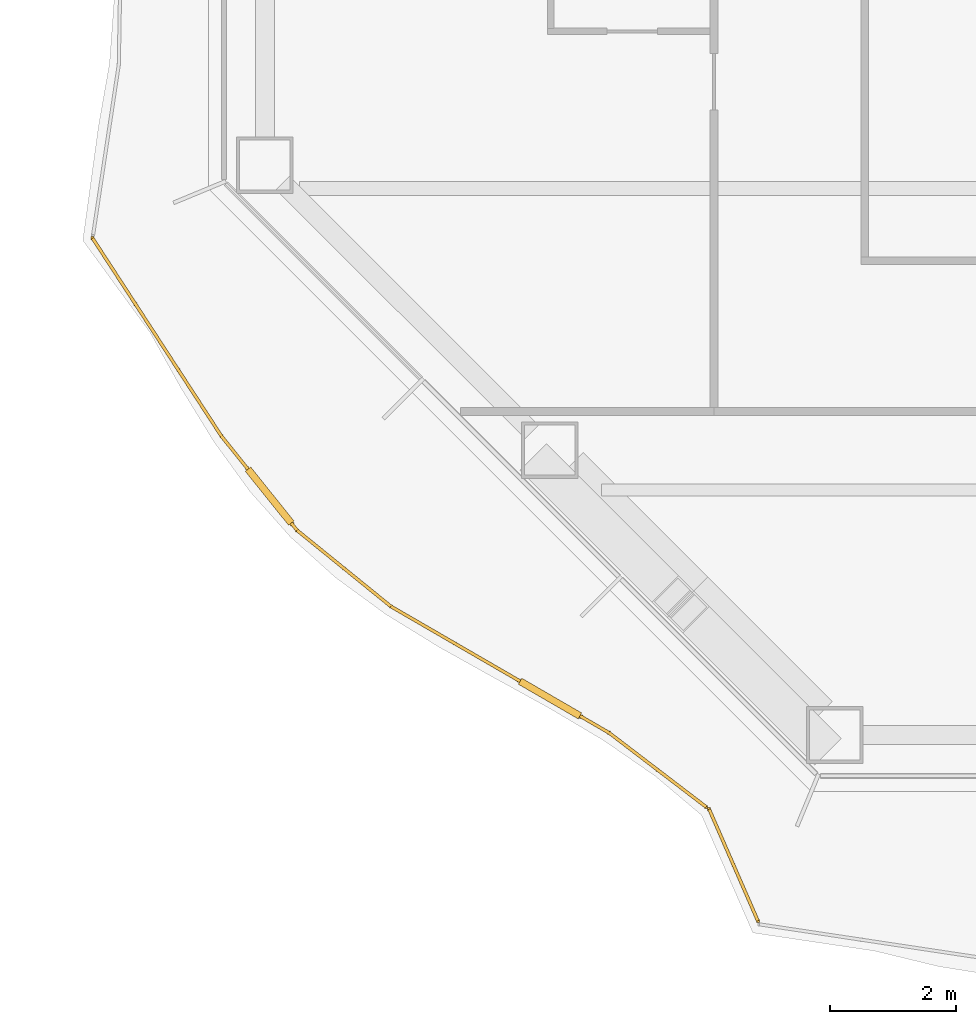
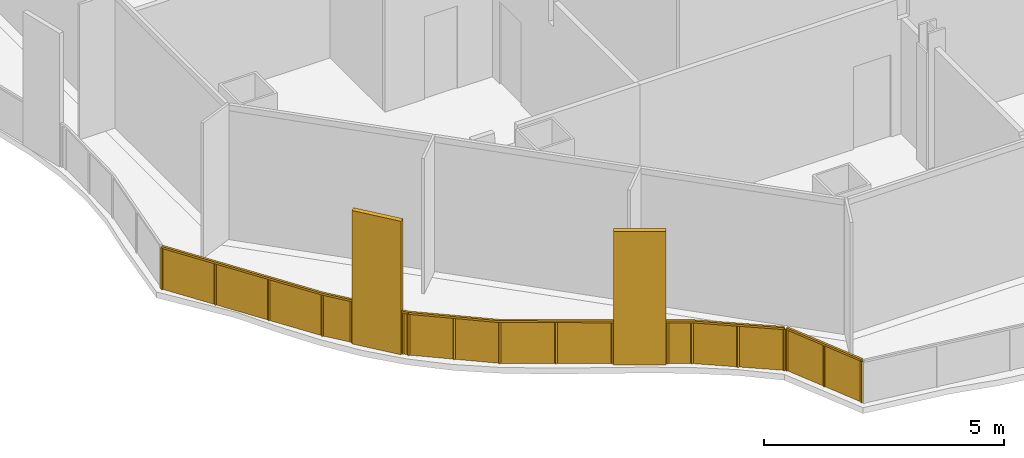
# One storey, part 12 of 18: 2 railings.
"""IFC4 building model written with IfcOpenShell, lengths in metres."""

from ifc_helpers import new_model, si_unit, direction, frame, origin, origin_2d, place, context, subcontext, project, spatial, polyline, rectangle, outline, extrude, material, type_object, element, save


model = new_model("IFC4")

# Units and contexts
model_context = context("Model", 3, precision=1e-05, world=origin(), true_north=direction((0.0, 1.0)))
body_context = subcontext(model_context, "Body", "Model", "MODEL_VIEW")
ifc_project = project(units=[si_unit("LENGTHUNIT", "METRE"), si_unit("AREAUNIT", "SQUARE_METRE"), si_unit("VOLUMEUNIT", "CUBIC_METRE"), si_unit("PLANEANGLEUNIT", "RADIAN"), si_unit("MASSUNIT", "GRAM", prefix="KILO")], contexts=[model_context])

# Site, building, storey
site_placement = place(None, origin())
site = spatial("IfcSite", under=ifc_project, at=site_placement, CompositionType="ELEMENT")
building_placement = place(site_placement, origin())
building = spatial("IfcBuilding", under=site, at=building_placement, Name="Cairn Pilgrim Tower", CompositionType="ELEMENT")
storey_placement = place(building_placement, frame((0.0, 0.0, 72.60009765625)))
storey = spatial("IfcBuildingStorey", under=building, at=storey_placement, Name="L16", CompositionType="ELEMENT", Elevation=72.60009765625)

# Railings
ifc_material_1 = material(Name="Bronze anodised aluminium rail and posts with laminated glass infill", Category="aluminium")
railing_type_1 = type_object("IfcRailingType", Name="BALCONY GUARD 1100", PredefinedType="GUARDRAIL", material=ifc_material_1)
railing_1_placement = place(storey_placement, frame((-20.827392578125, -24.2822265625, 0.0)))
element("IfcRailing", 1, at=railing_1_placement, inside=storey, type_object=railing_type_1, Name="Balcony guard BG-9", PredefinedType="GUARDRAIL", context=body_context, shape_type="SweptSolid", body=[
    extrude(rectangle(XDim=0.050048828125, YDim=0.050048828125, at=origin_2d()), frame((0.0, 0.0, 1.0751953125), z_axis=(0.40006562225, -0.916486496297, 0.0), x_axis=(0.916486496297, 0.40006562225, 0.0)), (0.0, 0.0, 1.0), 1.938720703125),
    extrude(rectangle(XDim=0.050048828125, YDim=0.050048828125, at=origin_2d()), origin(), (0.0, 0.0, 1.0), 1.050048828125),
    extrude(rectangle(XDim=0.050048828125, YDim=0.050048828125, at=origin_2d()), frame((0.3876953125, -0.888427734375, 0.0)), (0.0, 0.0, 1.0), 1.050048828125),
    extrude(rectangle(XDim=0.050048828125, YDim=0.050048828125, at=origin_2d()), frame((0.775634765625, -1.77685546875, 0.0)), (0.0, 0.0, 1.0), 1.050048828125),
    extrude(outline(polyline([(0.02490234375, 0.0), (0.9443359375, 0.0), (0.9443359375, 1.050048828125), (0.02490234375, 1.050048828125), (0.02490234375, 0.0)])), frame((0.00537109375, 0.00244140625, 0.0), z_axis=(-0.916486496297, -0.40006562225, 0.0), x_axis=(0.40006562225, -0.916486496297, 0.0)), (0.0, 0.0, 1.0), 0.011962890625),
    extrude(outline(polyline([(0.02490234375, 0.0), (0.9443359375, 0.0), (0.9443359375, 1.050048828125), (0.02490234375, 1.050048828125), (0.02490234375, 0.0)])), frame((0.393310546875, -0.885986328125, 0.0), z_axis=(-0.916486496297, -0.40006562225, 0.0), x_axis=(0.40006562225, -0.916486496297, 0.0)), (0.0, 0.0, 1.0), 0.011962890625),
])
ifc_material_2 = material(Name="Bronze anodised aluminium rail, posts and fin screens with laminated glass infill", Category="aluminium")
railing_type_2 = type_object("IfcRailingType", Name="BALCONY GUARD WITH FIN SCREENS", PredefinedType="GUARDRAIL", material=ifc_material_2)
railing_2_placement = place(storey_placement, frame((-30.6416015625, -15.19384765625, 0.0)))
element("IfcRailing", 2, at=railing_2_placement, inside=storey, type_object=railing_type_2, Name="Balcony guard BGF-8 with fin screens", PredefinedType="GUARDRAIL", context=body_context, shape_type="SweptSolid", body=[
    extrude(rectangle(XDim=0.050048828125, YDim=0.050048828125, at=origin_2d()), frame((0.0, 0.0, 1.0751953125), z_axis=(0.545634945051, -0.838022975067, 0.0), x_axis=(0.838022975067, 0.545634945051, 0.0)), (0.0, 0.0, 1.0), 3.7548828125),
    extrude(rectangle(XDim=1.10009765625, YDim=0.110107421875, at=origin_2d()), frame((2.817626953125, -4.10400390625, 0.0), z_axis=(0.0, 0.0, 1.0), x_axis=(0.626176698238, -0.779681180088, 0.0)), (0.0, 0.0, 1.0), 3.39990234375),
    extrude(rectangle(XDim=0.050048828125, YDim=0.050048828125, at=origin_2d()), frame((2.048828125, -3.146728515625, 1.0751953125), z_axis=(0.626176698238, -0.779681180088, 0.0), x_axis=(0.779681180088, 0.626176698238, 0.0)), (0.0, 0.0, 1.0), 0.677734375),
    extrude(rectangle(XDim=0.050048828125, YDim=0.050048828125, at=origin_2d()), frame((3.161865234375, -4.53271484375, 1.0751953125), z_axis=(0.626176698238, -0.779681180088, 0.0), x_axis=(0.779681180088, 0.626176698238, 0.0)), (0.0, 0.0, 1.0), 0.14990234375),
    extrude(rectangle(XDim=0.050048828125, YDim=0.050048828125, at=origin_2d()), frame((3.255859375, -4.649658203125, 1.0751953125), z_axis=(0.776812842699, -0.629731535988, 0.0), x_axis=(0.629731535988, 0.776812842699, 0.0)), (0.0, 0.0, 1.0), 1.922119140625),
    extrude(rectangle(XDim=1.10009765625, YDim=0.110107421875, at=origin_2d()), frame((7.281005859375, -7.32666015625, 0.0), z_axis=(0.0, 0.0, 1.0), x_axis=(0.865310997869, -0.501235350875, 0.0)), (0.0, 0.0, 1.0), 3.39990234375),
    extrude(rectangle(XDim=0.050048828125, YDim=0.050048828125, at=origin_2d()), frame((4.7490234375, -5.860107421875, 1.0751953125), z_axis=(0.865310997869, -0.501235350875, 0.0), x_axis=(0.501235350875, 0.865310997869, 0.0)), (0.0, 0.0, 1.0), 2.3759765625),
    extrude(rectangle(XDim=0.050048828125, YDim=0.050048828125, at=origin_2d()), frame((7.7568359375, -7.6025390625, 1.0751953125), z_axis=(0.865310997869, -0.501235350875, 0.0), x_axis=(0.501235350875, 0.865310997869, 0.0)), (0.0, 0.0, 1.0), 0.535888671875),
    extrude(rectangle(XDim=0.050048828125, YDim=0.050048828125, at=origin_2d()), frame((8.220703125, -7.87109375, 1.0751953125), z_axis=(0.794667643991, -0.607044755841, 0.0), x_axis=(0.607044755841, 0.794667643991, 0.0)), (0.0, 0.0, 1.0), 1.9453125),
    extrude(rectangle(XDim=0.050048828125, YDim=0.050048828125, at=origin_2d()), origin(), (0.0, 0.0, 1.0), 1.050048828125),
    extrude(rectangle(XDim=0.050048828125, YDim=0.050048828125, at=origin_2d()), frame((0.682861328125, -1.048828125, 0.0)), (0.0, 0.0, 1.0), 1.050048828125),
    extrude(rectangle(XDim=0.050048828125, YDim=0.050048828125, at=origin_2d()), frame((1.365966796875, -2.097900390625, 0.0)), (0.0, 0.0, 1.0), 1.050048828125),
    extrude(rectangle(XDim=0.050048828125, YDim=0.050048828125, at=origin_2d()), frame((2.048828125, -3.146728515625, 0.0)), (0.0, 0.0, 1.0), 1.050048828125),
    extrude(rectangle(XDim=0.050048828125, YDim=0.050048828125, at=origin_2d()), frame((2.45751953125, -3.655517578125, 0.0)), (0.0, 0.0, 1.0), 1.050048828125),
    extrude(rectangle(XDim=0.050048828125, YDim=0.050048828125, at=origin_2d()), frame((3.177734375, -4.55224609375, 0.0)), (0.0, 0.0, 1.0), 1.050048828125),
    extrude(rectangle(XDim=0.050048828125, YDim=0.050048828125, at=origin_2d()), frame((3.255859375, -4.649658203125, 0.0)), (0.0, 0.0, 1.0), 1.050048828125),
    extrude(rectangle(XDim=0.050048828125, YDim=0.050048828125, at=origin_2d()), frame((4.00244140625, -5.2548828125, 0.0)), (0.0, 0.0, 1.0), 1.050048828125),
    extrude(rectangle(XDim=0.050048828125, YDim=0.050048828125, at=origin_2d()), frame((4.7490234375, -5.860107421875, 0.0)), (0.0, 0.0, 1.0), 1.050048828125),
    extrude(rectangle(XDim=0.050048828125, YDim=0.050048828125, at=origin_2d()), frame((5.76611328125, -6.44921875, 0.0)), (0.0, 0.0, 1.0), 1.050048828125),
    extrude(rectangle(XDim=0.050048828125, YDim=0.050048828125, at=origin_2d()), frame((6.783447265625, -7.03857421875, 0.0)), (0.0, 0.0, 1.0), 1.050048828125),
    extrude(rectangle(XDim=0.050048828125, YDim=0.050048828125, at=origin_2d()), frame((7.778564453125, -7.614990234375, 0.0)), (0.0, 0.0, 1.0), 1.050048828125),
    extrude(rectangle(XDim=0.050048828125, YDim=0.050048828125, at=origin_2d()), frame((8.220703125, -7.87109375, 0.0)), (0.0, 0.0, 1.0), 1.050048828125),
    extrude(rectangle(XDim=0.050048828125, YDim=0.050048828125, at=origin_2d()), frame((8.99365234375, -8.46142578125, 0.0)), (0.0, 0.0, 1.0), 1.050048828125),
    extrude(rectangle(XDim=0.050048828125, YDim=0.050048828125, at=origin_2d()), frame((9.7666015625, -9.052001953125, 0.0)), (0.0, 0.0, 1.0), 1.050048828125),
    extrude(outline(polyline([(0.02490234375, 0.0), (1.2265625, 0.0), (1.2265625, 1.050048828125), (0.02490234375, 1.050048828125), (0.02490234375, 0.0)])), frame((0.005126953125, 0.003173828125, 0.0), z_axis=(-0.838022975067, -0.545634945051, 0.0), x_axis=(0.545634945051, -0.838022975067, 0.0)), (0.0, 0.0, 1.0), 0.011962890625),
    extrude(outline(polyline([(0.02490234375, 0.0), (1.2265625, 0.0), (1.2265625, 1.050048828125), (0.02490234375, 1.050048828125), (0.02490234375, 0.0)])), frame((0.68798828125, -1.045654296875, 0.0), z_axis=(-0.838022975067, -0.545634945051, 0.0), x_axis=(0.545634945051, -0.838022975067, 0.0)), (0.0, 0.0, 1.0), 0.011962890625),
    extrude(outline(polyline([(0.02490234375, 0.0), (1.2265625, 0.0), (1.2265625, 1.050048828125), (0.02490234375, 1.050048828125), (0.02490234375, 0.0)])), frame((1.370849609375, -2.094482421875, 0.0), z_axis=(-0.838022975067, -0.545634945051, 0.0), x_axis=(0.545634945051, -0.838022975067, 0.0)), (0.0, 0.0, 1.0), 0.011962890625),
    extrude(outline(polyline([(0.02490234375, 0.0), (0.627685546875, 0.0), (0.627685546875, 1.050048828125), (0.02490234375, 1.050048828125), (0.02490234375, 0.0)])), frame((2.053466796875, -3.14306640625, 0.0), z_axis=(-0.779681180088, -0.626176698238, 0.0), x_axis=(0.626176698238, -0.779681180088, 0.0)), (0.0, 0.0, 1.0), 0.011962890625),
    extrude(outline(polyline([(0.02490234375, 0.0), (0.099853515625, 0.0), (0.099853515625, 1.050048828125), (0.02490234375, 1.050048828125), (0.02490234375, 0.0)])), frame((3.182373046875, -4.548583984375, 0.0), z_axis=(-0.779681180088, -0.626176698238, 0.0), x_axis=(0.626176698238, -0.779681180088, 0.0)), (0.0, 0.0, 1.0), 0.011962890625),
    extrude(outline(polyline([(0.02490234375, 0.0), (0.93603515625, 0.0), (0.93603515625, 1.050048828125), (0.02490234375, 1.050048828125), (0.02490234375, 0.0)])), frame((3.259521484375, -4.64501953125, 0.0), z_axis=(-0.629731535988, -0.776812842699, 0.0), x_axis=(0.776812842699, -0.629731535988, 0.0)), (0.0, 0.0, 1.0), 0.011962890625),
    extrude(outline(polyline([(0.02490234375, 0.0), (0.93603515625, 0.0), (0.93603515625, 1.050048828125), (0.02490234375, 1.050048828125), (0.02490234375, 0.0)])), frame((4.006103515625, -5.250244140625, 0.0), z_axis=(-0.629731535988, -0.776812842699, 0.0), x_axis=(0.776812842699, -0.629731535988, 0.0)), (0.0, 0.0, 1.0), 0.011962890625),
    extrude(outline(polyline([(0.02490234375, 0.0), (1.150390625, 0.0), (1.150390625, 1.050048828125), (0.02490234375, 1.050048828125), (0.02490234375, 0.0)])), frame((4.751953125, -5.85498046875, 0.0), z_axis=(-0.501235350875, -0.865310997869, 0.0), x_axis=(0.865310997869, -0.501235350875, 0.0)), (0.0, 0.0, 1.0), 0.011962890625),
    extrude(outline(polyline([(0.02490234375, 0.0), (1.150390625, 0.0), (1.150390625, 1.050048828125), (0.02490234375, 1.050048828125), (0.02490234375, 0.0)])), frame((5.769287109375, -6.444091796875, 0.0), z_axis=(-0.501235350875, -0.865310997869, 0.0), x_axis=(0.865310997869, -0.501235350875, 0.0)), (0.0, 0.0, 1.0), 0.011962890625),
    extrude(outline(polyline([(0.02490234375, 0.0), (0.48583984375, 0.0), (0.48583984375, 1.050048828125), (0.02490234375, 1.050048828125), (0.02490234375, 0.0)])), frame((7.781494140625, -7.60986328125, 0.0), z_axis=(-0.501235350875, -0.865310997869, 0.0), x_axis=(0.865310997869, -0.501235350875, 0.0)), (0.0, 0.0, 1.0), 0.011962890625),
    extrude(outline(polyline([(0.02490234375, 0.0), (0.94775390625, 0.0), (0.94775390625, 1.050048828125), (0.02490234375, 1.050048828125), (0.02490234375, 0.0)])), frame((8.224365234375, -7.866455078125, 0.0), z_axis=(-0.607044755841, -0.794667643991, 0.0), x_axis=(0.794667643991, -0.607044755841, 0.0)), (0.0, 0.0, 1.0), 0.011962890625),
    extrude(outline(polyline([(0.02490234375, 0.0), (0.94775390625, 0.0), (0.94775390625, 1.050048828125), (0.02490234375, 1.050048828125), (0.02490234375, 0.0)])), frame((8.997314453125, -8.456787109375, 0.0), z_axis=(-0.607044755841, -0.794667643991, 0.0), x_axis=(0.794667643991, -0.607044755841, 0.0)), (0.0, 0.0, 1.0), 0.011962890625),
])

save(model, "model.ifc")
